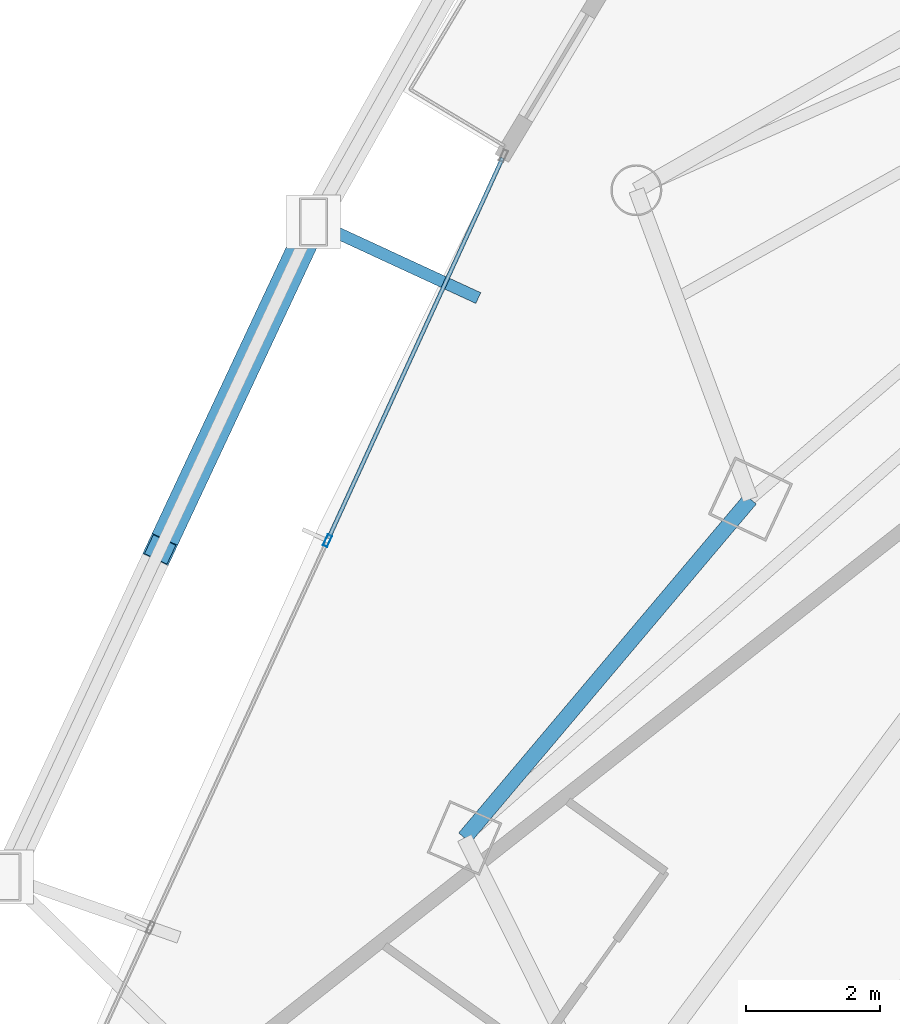
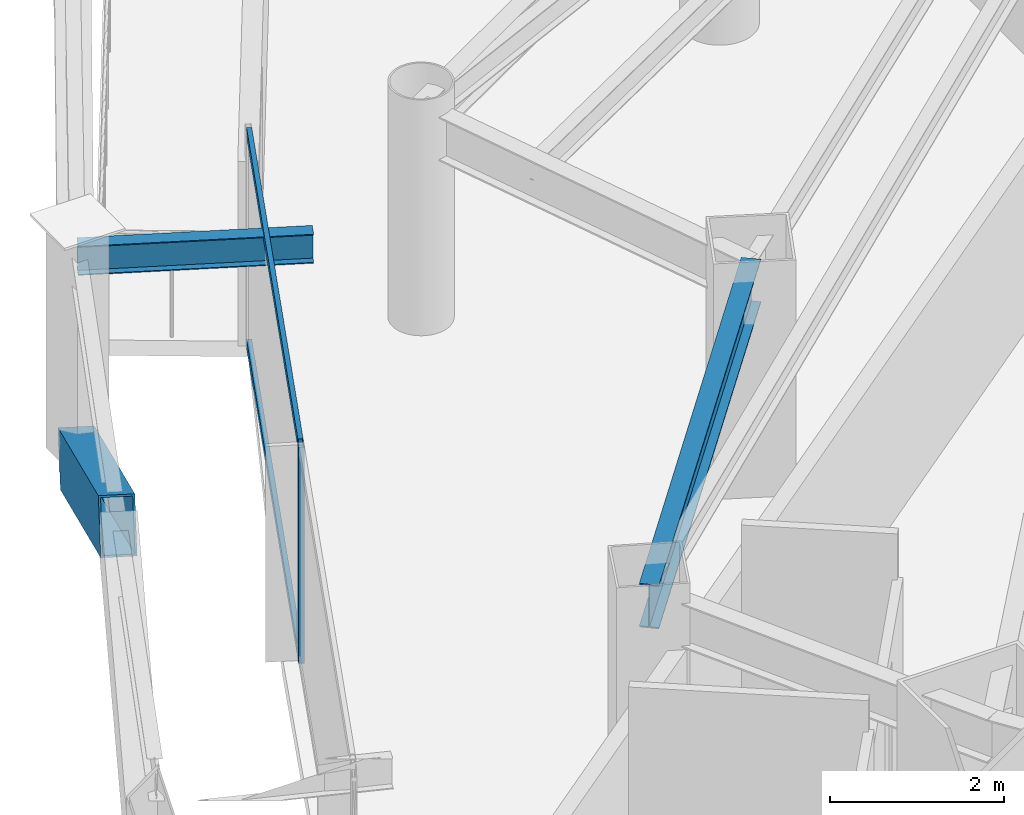
# One storey, part 9 of 38: 4 members, 2 beams, 1 element without a shape of its own.
"""IFC4 building model written with IfcOpenShell, lengths in metres."""

from ifc_helpers import new_model, si_unit, direction, frame, origin, origin_2d, place, context, subcontext, project, spatial, hollow_rectangle, i_section, extrude, material, layer, layer_set, material_profile, profile_set, type_object, element, aggregate, save


model = new_model("IFC4")

# Units and contexts
model_context = context("Model", 3, precision=1e-05, world=origin(), true_north=direction((0.0, 1.0)))
body_context = subcontext(model_context, "Body", "Model", "MODEL_VIEW")
ifc_project = project(units=[si_unit("LENGTHUNIT", "METRE"), si_unit("AREAUNIT", "SQUARE_METRE"), si_unit("VOLUMEUNIT", "CUBIC_METRE"), si_unit("PLANEANGLEUNIT", "RADIAN"), si_unit("MASSUNIT", "GRAM", prefix="KILO")], contexts=[model_context])

# Site, building, storey
site_placement = place(None, origin())
site = spatial("IfcSite", under=ifc_project, at=site_placement, CompositionType="ELEMENT")
building_placement = place(site_placement, origin())
building = spatial("IfcBuilding", under=site, at=building_placement, Name="Orvanel Arch Residences", CompositionType="ELEMENT")
storey_placement = place(building_placement, frame((0.0, 0.0, 56.60009765625)))
storey = spatial("IfcBuildingStorey", under=building, at=storey_placement, Name="L15", CompositionType="ELEMENT", Elevation=56.60009765625)

# Member
ifc_material_1 = material(Name="Structural steel AS/NZS 3678 Grade 350", Category="steel")
ifc_material_profile_1 = material_profile(ifc_material_1, hollow_rectangle(XDim=0.419921875, YDim=0.719970703125, WallThickness=0.02490234375, at=origin_2d()), Name="RHS720x420x25")
ifc_profile_set_1 = profile_set([ifc_material_profile_1], Name="Structural steel AS/NZS 3678 Grade 350")
member_type_1 = type_object("IfcMemberType", Name="BR-720RHS-EXT", PredefinedType="BRACE", material=ifc_profile_set_1)
member_1_placement = place(storey_placement, frame((9.839111328125, 23.782958984375, 0.0), z_axis=(-0.376002259857, -0.803051714839, 0.462309683954), x_axis=(0.905644446666, -0.424037894797, 0.0)))
element("IfcMember", 1, at=member_1_placement, inside=storey, type_object=member_type_1, Name="L15 Exterior Sky-Garden V-Frame Chevron F1B3.1", PredefinedType="BRACE", context=body_context, shape_type="SweptSolid", body=[
    extrude(hollow_rectangle(XDim=0.419921875, YDim=0.719970703125, WallThickness=0.02490234375, at=origin_2d()), origin(), (0.0, 0.0, 1.0), 6.093017578125),
])

# Curtain wall, member
ifc_material_2 = material(Name="Bronze-anodised aluminium AA6063-T6", Category="aluminium")
ifc_layer = layer(ifc_material_2, 0.179931640625)
ifc_layer_set = layer_set([ifc_layer], Name="Bronze-anodised aluminium AA6063-T6")
curtain_wall_type = type_object("IfcCurtainWallType", Name="CW2-LOW-SYS", PredefinedType="NOTDEFINED", material=ifc_layer_set)
curtain_wall_placement = place(storey_placement, origin())
curtain_wall = element("IfcCurtainWall", 2, at=curtain_wall_placement, inside=storey, type_object=curtain_wall_type, Name="L15 CW2-LOW-SYS Unitised Curtain Wall", PredefinedType="NOTDEFINED")
ifc_material_profile_2 = material_profile(ifc_material_2, hollow_rectangle(XDim=0.070068359375, YDim=0.179931640625, WallThickness=0.00439453125, at=origin_2d()), Name="ALU180x70x4.5")
ifc_profile_set_2 = profile_set([ifc_material_profile_2], Name="Bronze-anodised aluminium AA6063-T6")
member_type_2 = type_object("IfcMemberType", Name="MUL-180x70", PredefinedType="MULLION", material=ifc_profile_set_2)
member_2_placement = place(storey_placement, frame((10.047119140625, 19.020263671875, 0.0), z_axis=(0.0, 0.0, 1.0), x_axis=(0.909298821002, -0.416143790203, 0.0)))
member_2 = element("IfcMember", 3, at=member_2_placement, type_object=member_type_2, Name="CW-S2 mullion 2", PredefinedType="MULLION", context=body_context, shape_type="SweptSolid", body=[
    extrude(hollow_rectangle(XDim=0.070068359375, YDim=0.179931640625, WallThickness=0.00439453125, at=origin_2d()), origin(), (0.0, 0.0, 1.0), 3.02001953125),
])

# Beams
ifc_material_3 = material(Name="Structural steel AS/NZS 3679.1 Grade 300 (300 MPa)", Category="steel")
ifc_material_profile_3 = material_profile(ifc_material_3, i_section(OverallWidth=0.177978515625, OverallDepth=0.406005859375, WebThickness=0.0078125, FlangeThickness=0.0126953125, at=origin_2d()), Name="410UB59.7")
ifc_profile_set_3 = profile_set([ifc_material_profile_3], Name="Structural steel AS/NZS 3679.1 Grade 300 (300 MPa)")
beam_type_1 = type_object("IfcBeamType", Name="OB-410UB-EXT", PredefinedType="SPANDREL", material=ifc_profile_set_3)
beam_1_placement = place(storey_placement, frame((12.301025390625, 22.64501953125, 2.81689453125), z_axis=(-0.907724760779, 0.419566155295, 0.0), x_axis=(-0.419566155295, -0.907724760779, 0.0)))
element("IfcBeam", 4, at=beam_1_placement, inside=storey, type_object=beam_type_1, Name="L15 Outer Frame Radial Tie Beam 03", PredefinedType="SPANDREL", context=body_context, shape_type="SweptSolid", body=[
    extrude(i_section(OverallWidth=0.177978515625, OverallDepth=0.406005859375, WebThickness=0.0078125, FlangeThickness=0.0126953125, at=origin_2d()), origin(), (0.0, 0.0, 1.0), 2.712158203125),
])
ifc_material_profile_4 = material_profile(ifc_material_3, i_section(OverallWidth=0.22900390625, OverallDepth=0.612060546875, WebThickness=0.011962890625, FlangeThickness=0.01953125, at=origin_2d()), Name="610UB125")
ifc_profile_set_4 = profile_set([ifc_material_profile_4], Name="Structural steel AS/NZS 3679.1 Grade 300 (300 MPa)")
beam_type_2 = type_object("IfcBeamType", Name="SP-610UB", PredefinedType="SPANDREL", material=ifc_profile_set_4)
beam_2_placement = place(storey_placement, frame((16.366943359375, 19.64208984375, 2.7138671875), z_axis=(-0.644950329775, -0.764224490659, 0.0), x_axis=(0.764224490659, -0.644950329775, 0.0)))
element("IfcBeam", 5, at=beam_2_placement, inside=storey, type_object=beam_type_2, Name="L15 Perimeter Spandrel Beam 01", PredefinedType="SPANDREL", context=body_context, shape_type="SweptSolid", body=[
    extrude(i_section(OverallWidth=0.22900390625, OverallDepth=0.612060546875, WebThickness=0.011962890625, FlangeThickness=0.01953125, at=origin_2d()), origin(), (0.0, 0.0, 1.0), 6.623779296875),
])

# Member
ifc_material_profile_5 = material_profile(ifc_material_2, hollow_rectangle(XDim=0.06005859375, YDim=0.135009765625, WallThickness=0.00390625, at=origin_2d()), Name="ALU135x60x4")
ifc_profile_set_5 = profile_set([ifc_material_profile_5], Name="Bronze-anodised aluminium AA6063-T6")
member_type_3 = type_object("IfcMemberType", Name="TRN-135x60", PredefinedType="USERDEFINED", material=ifc_profile_set_5)
member_3_placement = place(storey_placement, frame((12.663818359375, 24.73828125, 0.02978515625), z_axis=(-0.416151858143, -0.909295128638, 0.0), x_axis=(0.909295128638, -0.416151858143, 0.0)))
member_3 = element("IfcMember", 6, at=member_3_placement, type_object=member_type_3, Name="CW-S2 transom 1.1", ObjectType="TRANSOM", PredefinedType="USERDEFINED", context=body_context, shape_type="SweptSolid", body=[
    extrude(hollow_rectangle(XDim=0.06005859375, YDim=0.135009765625, WallThickness=0.00390625, at=origin_2d()), origin(), (0.0, 0.0, 1.0), 6.253173828125),
])

member_4_placement = place(storey_placement, frame((12.663818359375, 24.73828125, 2.989990234375), z_axis=(-0.416151858143, -0.909295128638, 0.0), x_axis=(0.909295128638, -0.416151858143, 0.0)))
member_4 = element("IfcMember", 7, at=member_4_placement, type_object=member_type_3, Name="CW-S2 transom 1.2", ObjectType="TRANSOM", PredefinedType="USERDEFINED", context=body_context, shape_type="SweptSolid", body=[
    extrude(hollow_rectangle(XDim=0.06005859375, YDim=0.135009765625, WallThickness=0.00390625, at=origin_2d()), origin(), (0.0, 0.0, 1.0), 6.253173828125),
])

aggregate(curtain_wall, [member_2, member_3, member_4])

save(model, "model.ifc")
